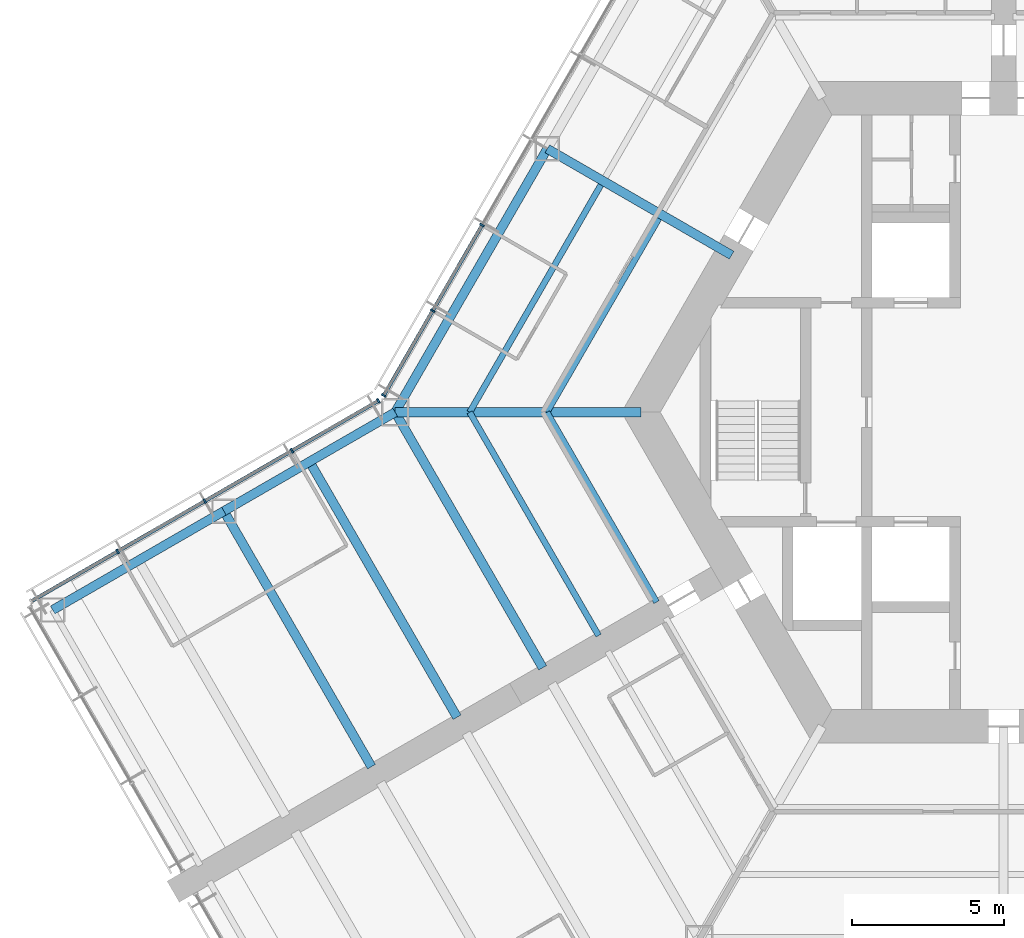
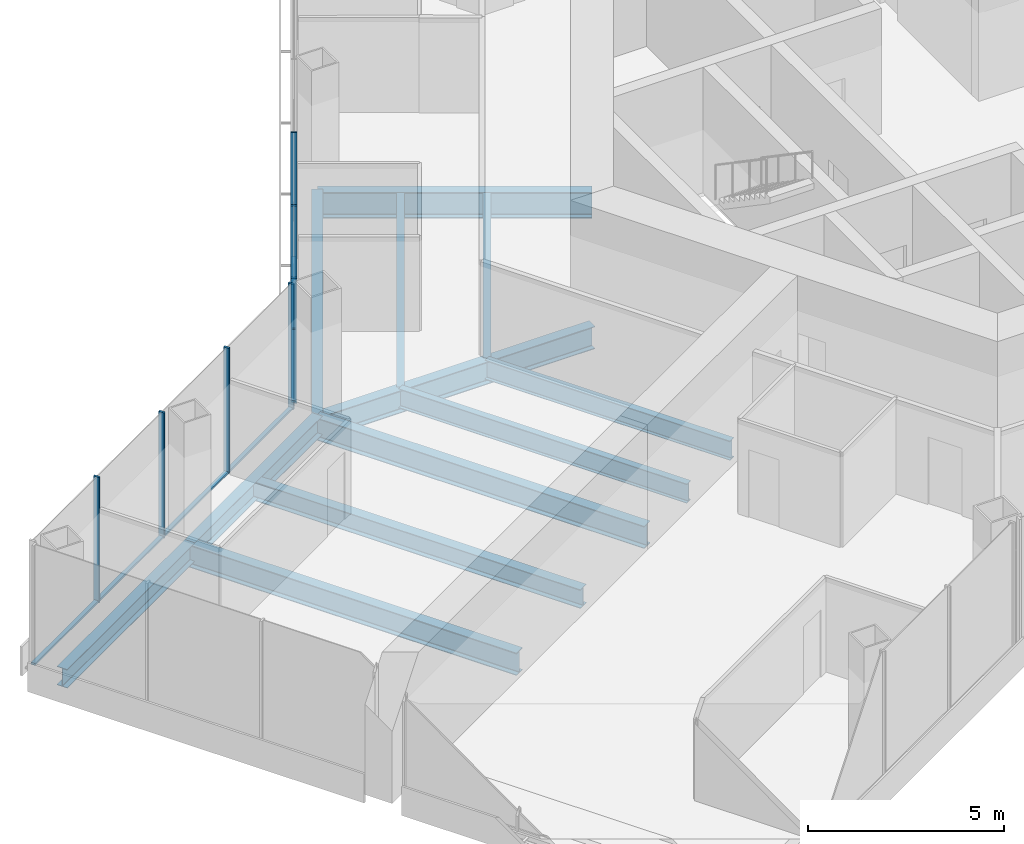
# One storey, part 4 of 18: 13 members, 12 beams, 2 elements without a shape of their own.
"""IFC4 building model written with IfcOpenShell, lengths in metres."""

from ifc_helpers import new_model, si_unit, direction, frame, origin, origin_2d, place, context, subcontext, project, spatial, rectangle, i_section, extrude, material, material_profile, profile_set, type_object, element, aggregate, save


model = new_model("IFC4")

# Units and contexts
model_context = context("Model", 3, precision=1e-05, world=origin(), true_north=direction((0.0, 1.0)))
body_context = subcontext(model_context, "Body", "Model", "MODEL_VIEW")
ifc_project = project(units=[si_unit("LENGTHUNIT", "METRE"), si_unit("AREAUNIT", "SQUARE_METRE"), si_unit("VOLUMEUNIT", "CUBIC_METRE"), si_unit("PLANEANGLEUNIT", "RADIAN"), si_unit("MASSUNIT", "GRAM", prefix="KILO")], contexts=[model_context])

# Site, building, storey
site_placement = place(None, origin())
site = spatial("IfcSite", under=ifc_project, at=site_placement, CompositionType="ELEMENT")
building_placement = place(site_placement, origin())
building = spatial("IfcBuilding", under=site, at=building_placement, Name="Kasaneha Research Tower", CompositionType="ELEMENT")
storey_placement = place(building_placement, frame((0.0, 0.0, 61.199951171875)))
storey = spatial("IfcBuildingStorey", under=building, at=storey_placement, Name="L15", CompositionType="ELEMENT", Elevation=61.199951171875)

# Beams
ifc_material_1 = material(Name="Steel SN490B", Category="steel")
ifc_material_profile_1 = material_profile(ifc_material_1, i_section(OverallWidth=0.199951171875, OverallDepth=0.60009765625, WebThickness=0.010986328125, FlangeThickness=0.01708984375, FilletRadius=0.012939453125, at=origin_2d()), Name="H-600x200x11x17")
ifc_profile_set_1 = profile_set([ifc_material_profile_1], Name="Steel SN490B")
beam_type_1 = type_object("IfcBeamType", Name="B1-3 secondary beam H-600x200x11x17", PredefinedType="JOIST", material=ifc_profile_set_1)
beam_1_placement = place(storey_placement, frame((-15.010986328125, 0.0, -0.449951171875), z_axis=(0.499994443168, 0.866028611999, 0.0), x_axis=(-0.866028611999, 0.499994443168, 0.0)))
element("IfcBeam", 1, at=beam_1_placement, inside=storey, type_object=beam_type_1, Name="Secondary beam RS150R1 L15", PredefinedType="JOIST", context=body_context, shape_type="SweptSolid", body=[
    extrude(i_section(OverallWidth=0.199951171875, OverallDepth=0.60009765625, WebThickness=0.010986328125, FlangeThickness=0.01708984375, FilletRadius=0.012939453125, at=origin_2d()), origin(), (0.0, 0.0, 1.0), 7.35546875),
])
beam_2_placement = place(storey_placement, frame((-17.551513671875, 0.0, -0.449951171875), z_axis=(0.5000050195, 0.866022505755, 0.0), x_axis=(-0.866022505755, 0.5000050195, 0.0)))
element("IfcBeam", 2, at=beam_2_placement, inside=storey, type_object=beam_type_1, Name="Secondary beam RS150R2 L15", PredefinedType="JOIST", context=body_context, shape_type="SweptSolid", body=[
    extrude(i_section(OverallWidth=0.199951171875, OverallDepth=0.60009765625, WebThickness=0.010986328125, FlangeThickness=0.01708984375, FilletRadius=0.012939453125, at=origin_2d()), origin(), (0.0, 0.0, 1.0), 8.6259765625),
])
beam_3_placement = place(storey_placement, frame((-15.010986328125, 0.0, -0.449951171875), z_axis=(0.499972735707, -0.866041144259, 0.0), x_axis=(0.866041144259, 0.499972735707, 0.0)))
element("IfcBeam", 3, at=beam_3_placement, inside=storey, type_object=beam_type_1, Name="Secondary beam RS210L1 L15", PredefinedType="JOIST", context=body_context, shape_type="SweptSolid", body=[
    extrude(i_section(OverallWidth=0.199951171875, OverallDepth=0.60009765625, WebThickness=0.010986328125, FlangeThickness=0.01708984375, FilletRadius=0.012939453125, at=origin_2d()), origin(), (0.0, 0.0, 1.0), 7.20556640625),
])
beam_4_placement = place(storey_placement, frame((-17.551513671875, 0.0, -0.449951171875), z_axis=(0.500020829043, -0.866013377797, 0.0), x_axis=(0.866013377797, 0.500020829043, 0.0)))
element("IfcBeam", 4, at=beam_4_placement, inside=storey, type_object=beam_type_1, Name="Secondary beam RS210L2 L15", PredefinedType="JOIST", context=body_context, shape_type="SweptSolid", body=[
    extrude(i_section(OverallWidth=0.199951171875, OverallDepth=0.60009765625, WebThickness=0.010986328125, FlangeThickness=0.01708984375, FilletRadius=0.012939453125, at=origin_2d()), origin(), (0.0, 0.0, 1.0), 8.475830078125),
])
ifc_material_2 = material(Name="Steel SN490B", Category="steel")
ifc_material_profile_2 = material_profile(ifc_material_2, i_section(OverallWidth=0.300048828125, OverallDepth=0.58203125, WebThickness=0.011962890625, FlangeThickness=0.01708984375, FilletRadius=0.012939453125, at=origin_2d()), Name="H-582x300x12x17")
ifc_profile_set_2 = profile_set([ifc_material_profile_2], Name="Steel SN490B")
beam_type_2 = type_object("IfcBeamType", Name="B2-3 secondary beam H-582x300x12x17", PredefinedType="JOIST", material=ifc_profile_set_2)
beam_5_placement = place(storey_placement, frame((-22.814697265625, -1.625, -0.44091796875), z_axis=(0.500010041276, -0.866019606374, 0.0), x_axis=(0.866019606374, 0.500010041276, 0.0)))
element("IfcBeam", 5, at=beam_5_placement, inside=storey, type_object=beam_type_2, Name="Secondary beam WBBP1 L15", PredefinedType="JOIST", context=body_context, shape_type="SweptSolid", body=[
    extrude(i_section(OverallWidth=0.300048828125, OverallDepth=0.58203125, WebThickness=0.011962890625, FlangeThickness=0.01708984375, FilletRadius=0.012939453125, at=origin_2d()), origin(), (0.0, 0.0, 1.0), 9.699951171875),
])

# Curtain wall, members
ifc_material_3 = material(Name="Glass and aluminium", Category="aluminium")
curtain_wall_type = type_object("IfcCurtainWallType", Name="Low-rise office curtain wall", PredefinedType="USERDEFINED", material=ifc_material_3)
curtain_wall_1_placement = place(storey_placement, origin())
curtain_wall_1 = element("IfcCurtainWall", 6, at=curtain_wall_1_placement, inside=storey, type_object=curtain_wall_type, Name="CW-O1 L15 run 12a", ObjectType="UNITISED CURTAIN WALL", PredefinedType="USERDEFINED")
ifc_material_4 = material(Name="Aluminium 6063-T6", Category="aluminium")
ifc_material_profile_3 = material_profile(ifc_material_4, rectangle(XDim=0.06005859375, YDim=0.159912109375, at=origin_2d()), Name="CW-O1 mullion 60x160")
ifc_profile_set_3 = profile_set([ifc_material_profile_3], Name="Aluminium 6063-T6")
member_type_1 = type_object("IfcMemberType", Name="CW-O1 mullion", PredefinedType="MULLION", material=ifc_profile_set_3)
member_1_placement = place(storey_placement, frame((-17.142822265625, 6.148681640625, 0.0), z_axis=(0.0, 0.0, 1.0), x_axis=(-0.49999996188, -0.866025425793, 0.0)))
member_1 = element("IfcMember", 7, at=member_1_placement, type_object=member_type_1, Name="CW-O1 mullion 5", PredefinedType="MULLION", context=body_context, shape_type="SweptSolid", body=[
    extrude(rectangle(XDim=0.06005859375, YDim=0.159912109375, at=origin_2d()), origin(), (0.0, 0.0, 1.0), 3.900146484375),
])
member_2_placement = place(storey_placement, frame((-18.76611328125, 3.33740234375, 0.0), z_axis=(0.0, 0.0, 1.0), x_axis=(-0.49999996188, -0.866025425793, 0.0)))
member_2 = element("IfcMember", 8, at=member_2_placement, type_object=member_type_1, Name="CW-O1 mullion 6", PredefinedType="MULLION", context=body_context, shape_type="SweptSolid", body=[
    extrude(rectangle(XDim=0.06005859375, YDim=0.159912109375, at=origin_2d()), origin(), (0.0, 0.0, 1.0), 3.900146484375),
])
member_3_placement = place(storey_placement, frame((-20.374267578125, 0.5517578125, 0.0), z_axis=(0.0, 0.0, 1.0), x_axis=(-0.49999996188, -0.866025425793, 0.0)))
member_3 = element("IfcMember", 9, at=member_3_placement, type_object=member_type_1, Name="CW-O1 mullion 7", PredefinedType="MULLION", context=body_context, shape_type="SweptSolid", body=[
    extrude(rectangle(XDim=0.06005859375, YDim=0.159912109375, at=origin_2d()), origin(), (0.0, 0.0, 1.0), 3.900146484375),
])

curtain_wall_2_placement = place(storey_placement, origin())
curtain_wall_2 = element("IfcCurtainWall", 10, at=curtain_wall_2_placement, inside=storey, type_object=curtain_wall_type, Name="CW-O1 L15 run 13a", ObjectType="UNITISED CURTAIN WALL", PredefinedType="USERDEFINED")
member_4_placement = place(storey_placement, frame((-20.5517578125, 0.374267578125, 0.0), z_axis=(0.0, 0.0, 1.0), x_axis=(-0.866025411464, -0.499999986699, 0.0)))
member_4 = element("IfcMember", 11, at=member_4_placement, type_object=member_type_1, Name="CW-O1 mullion 1", PredefinedType="MULLION", context=body_context, shape_type="SweptSolid", body=[
    extrude(rectangle(XDim=0.06005859375, YDim=0.159912109375, at=origin_2d()), origin(), (0.0, 0.0, 1.0), 3.900146484375),
])
member_5_placement = place(storey_placement, frame((-23.39208984375, -1.265625, 0.0), z_axis=(0.0, 0.0, 1.0), x_axis=(-0.866025411464, -0.499999986699, 0.0)))
member_5 = element("IfcMember", 12, at=member_5_placement, type_object=member_type_1, Name="CW-O1 mullion 2", PredefinedType="MULLION", context=body_context, shape_type="SweptSolid", body=[
    extrude(rectangle(XDim=0.06005859375, YDim=0.159912109375, at=origin_2d()), origin(), (0.0, 0.0, 1.0), 3.900146484375),
])
member_6_placement = place(storey_placement, frame((-26.258544921875, -2.920654296875, 0.0), z_axis=(0.0, 0.0, 1.0), x_axis=(-0.866025411464, -0.499999986699, 0.0)))
member_6 = element("IfcMember", 13, at=member_6_placement, type_object=member_type_1, Name="CW-O1 mullion 3", PredefinedType="MULLION", context=body_context, shape_type="SweptSolid", body=[
    extrude(rectangle(XDim=0.06005859375, YDim=0.159912109375, at=origin_2d()), origin(), (0.0, 0.0, 1.0), 3.900146484375),
])
member_7_placement = place(storey_placement, frame((-29.125, -4.575439453125, 0.0), z_axis=(0.0, 0.0, 1.0), x_axis=(-0.866025411464, -0.499999986699, 0.0)))
member_7 = element("IfcMember", 14, at=member_7_placement, type_object=member_type_1, Name="CW-O1 mullion 4", PredefinedType="MULLION", context=body_context, shape_type="SweptSolid", body=[
    extrude(rectangle(XDim=0.06005859375, YDim=0.159912109375, at=origin_2d()), origin(), (0.0, 0.0, 1.0), 3.900146484375),
])

# Member
ifc_material_5 = material(Name="Aluminium 6063-T6", Category="aluminium")
ifc_material_profile_4 = material_profile(ifc_material_5, rectangle(XDim=0.1201171875, YDim=0.06005859375, at=origin_2d()), Name="CW-O1 transom 120x60")
ifc_profile_set_4 = profile_set([ifc_material_profile_4], Name="Aluminium 6063-T6")
member_type_2 = type_object("IfcMemberType", Name="CW-O1 transom", PredefinedType="USERDEFINED", material=ifc_profile_set_4)
member_8_placement = place(storey_placement, frame((-17.15771484375, 6.122802734375, 0.030029296875), z_axis=(-0.500012062035, -0.866018439653, 0.0), x_axis=(0.866018439653, -0.500012062035, 0.0)))
member_8 = element("IfcMember", 15, at=member_8_placement, type_object=member_type_2, Name="CW-O1 transom 5", ObjectType="TRANSOM", PredefinedType="USERDEFINED", context=body_context, shape_type="SweptSolid", body=[
    extrude(rectangle(XDim=0.1201171875, YDim=0.06005859375, at=origin_2d()), origin(), (0.0, 0.0, 1.0), 3.1865234375),
])

member_9_placement = place(storey_placement, frame((-18.781005859375, 3.311279296875, 0.030029296875), z_axis=(-0.499999210213, -0.866025859768, 0.0), x_axis=(0.866025859768, -0.499999210213, 0.0)))
member_9 = element("IfcMember", 16, at=member_9_placement, type_object=member_type_2, Name="CW-O1 transom 6", ObjectType="TRANSOM", PredefinedType="USERDEFINED", context=body_context, shape_type="SweptSolid", body=[
    extrude(rectangle(XDim=0.1201171875, YDim=0.06005859375, at=origin_2d()), origin(), (0.0, 0.0, 1.0), 3.15625),
])

aggregate(curtain_wall_1, [member_1, member_2, member_3, member_8, member_9])

member_10_placement = place(storey_placement, frame((-20.577880859375, 0.359130859375, 0.030029296875), z_axis=(-0.866022692473, -0.500004696101, 0.0), x_axis=(0.500004696101, -0.866022692473, 0.0)))
member_10 = element("IfcMember", 17, at=member_10_placement, type_object=member_type_2, Name="CW-O1 transom 1", ObjectType="TRANSOM", PredefinedType="USERDEFINED", context=body_context, shape_type="SweptSolid", body=[
    extrude(rectangle(XDim=0.1201171875, YDim=0.06005859375, at=origin_2d()), origin(), (0.0, 0.0, 1.0), 3.2197265625),
])

member_11_placement = place(storey_placement, frame((-23.418212890625, -1.28076171875, 0.030029296875), z_axis=(-0.86604797581, -0.499960902066, 0.0), x_axis=(0.499960902066, -0.86604797581, 0.0)))
member_11 = element("IfcMember", 18, at=member_11_placement, type_object=member_type_2, Name="CW-O1 transom 2", ObjectType="TRANSOM", PredefinedType="USERDEFINED", context=body_context, shape_type="SweptSolid", body=[
    extrude(rectangle(XDim=0.1201171875, YDim=0.06005859375, at=origin_2d()), origin(), (0.0, 0.0, 1.0), 3.249755859375),
])

member_12_placement = place(storey_placement, frame((-26.28466796875, -2.935546875, 0.030029296875), z_axis=(-0.86599666273, -0.500049777664, 0.0), x_axis=(0.500049777664, -0.86599666273, 0.0)))
member_12 = element("IfcMember", 19, at=member_12_placement, type_object=member_type_2, Name="CW-O1 transom 3", ObjectType="TRANSOM", PredefinedType="USERDEFINED", context=body_context, shape_type="SweptSolid", body=[
    extrude(rectangle(XDim=0.1201171875, YDim=0.06005859375, at=origin_2d()), origin(), (0.0, 0.0, 1.0), 3.249755859375),
])

member_13_placement = place(storey_placement, frame((-29.15087890625, -4.590576171875, 0.030029296875), z_axis=(-0.866041647767, -0.499971863542, 0.0), x_axis=(0.499971863542, -0.866041647767, 0.0)))
member_13 = element("IfcMember", 20, at=member_13_placement, type_object=member_type_2, Name="CW-O1 transom 4", ObjectType="TRANSOM", PredefinedType="USERDEFINED", context=body_context, shape_type="SweptSolid", body=[
    extrude(rectangle(XDim=0.1201171875, YDim=0.06005859375, at=origin_2d()), origin(), (0.0, 0.0, 1.0), 3.219970703125),
])

aggregate(curtain_wall_2, [member_4, member_5, member_6, member_7, member_10, member_11, member_12, member_13])

# Beams
ifc_material_6 = material(Name="Steel SN490B", Category="steel")
ifc_material_profile_5 = material_profile(ifc_material_6, i_section(OverallWidth=0.300048828125, OverallDepth=0.699951171875, WebThickness=0.012939453125, FlangeThickness=0.02392578125, FilletRadius=0.01806640625, at=origin_2d()), Name="H-700x300x13x24")
ifc_profile_set_5 = profile_set([ifc_material_profile_5], Name="Steel SN490B")
beam_type_3 = type_object("IfcBeamType", Name="G1-3 radial girder H-700x300x13x24", PredefinedType="BEAM", material=ifc_profile_set_5)
beam_6_placement = place(storey_placement, frame((-11.92236328125, 0.0, -0.5), z_axis=(-1.0, 0.0, 0.0), x_axis=(0.0, -1.0, 0.0)))
element("IfcBeam", 21, at=beam_6_placement, inside=storey, type_object=beam_type_3, Name="Radial girder RV180 L15", PredefinedType="BEAM", context=body_context, shape_type="SweptSolid", body=[
    extrude(i_section(OverallWidth=0.300048828125, OverallDepth=0.699951171875, WebThickness=0.012939453125, FlangeThickness=0.02392578125, FilletRadius=0.01806640625, at=origin_2d()), origin(), (0.0, 0.0, 1.0), 8.07763671875),
])
ifc_material_7 = material(Name="Steel SN490B", Category="steel")
ifc_material_profile_6 = material_profile(ifc_material_7, i_section(OverallWidth=0.300048828125, OverallDepth=0.800048828125, WebThickness=0.013916015625, FlangeThickness=0.02587890625, FilletRadius=0.01806640625, at=origin_2d()), Name="H-800x300x14x26")
ifc_profile_set_6 = profile_set([ifc_material_profile_6], Name="Steel SN490B")
beam_type_4 = type_object("IfcBeamType", Name="G2-3 radial girder H-800x300x14x26", PredefinedType="BEAM", material=ifc_profile_set_6)
beam_7_placement = place(storey_placement, frame((-8.941650390625, 5.16259765625, -0.550048828125), z_axis=(-0.866039713508, 0.499975214012, 0.0), x_axis=(-0.499975214012, -0.866039713508, 0.0)))
element("IfcBeam", 22, at=beam_7_placement, inside=storey, type_object=beam_type_4, Name="Radial girder RM150 L15", PredefinedType="BEAM", context=body_context, shape_type="SweptSolid", body=[
    extrude(i_section(OverallWidth=0.300048828125, OverallDepth=0.800048828125, WebThickness=0.013916015625, FlangeThickness=0.02587890625, FilletRadius=0.01806640625, at=origin_2d()), origin(), (0.0, 0.0, 1.0), 6.995361328125),
])
ifc_material_8 = material(Name="Steel SN490B", Category="steel")
ifc_material_profile_7 = material_profile(ifc_material_8, i_section(OverallWidth=0.300048828125, OverallDepth=0.69189453125, WebThickness=0.012939453125, FlangeThickness=0.02001953125, FilletRadius=0.01806640625, at=origin_2d()), Name="H-692x300x13x20")
ifc_profile_set_7 = profile_set([ifc_material_profile_7], Name="Steel SN490B")
beam_type_5 = type_object("IfcBeamType", Name="G3-3 plate edge girder H-692x300x13x20", PredefinedType="BEAM", material=ifc_profile_set_7)
beam_8_placement = place(storey_placement, frame((-20.0, 0.0, -0.495849609375), z_axis=(0.500010041276, -0.866019606374, 0.0), x_axis=(0.866019606374, 0.500010041276, 0.0)))
element("IfcBeam", 23, at=beam_8_placement, inside=storey, type_object=beam_type_5, Name="Plate edge girder PEBP L15", PredefinedType="BEAM", context=body_context, shape_type="SweptSolid", body=[
    extrude(i_section(OverallWidth=0.300048828125, OverallDepth=0.69189453125, WebThickness=0.012939453125, FlangeThickness=0.02001953125, FilletRadius=0.01806640625, at=origin_2d()), origin(), (0.0, 0.0, 1.0), 9.699951171875),
])
ifc_material_9 = material(Name="Steel SN490B", Category="steel")
ifc_material_profile_8 = material_profile(ifc_material_9, i_section(OverallWidth=0.300048828125, OverallDepth=0.699951171875, WebThickness=0.012939453125, FlangeThickness=0.02392578125, FilletRadius=0.01806640625, at=origin_2d()), Name="H-700x300x13x24")
ifc_profile_set_8 = profile_set([ifc_material_profile_8], Name="Steel SN490B")
beam_type_6 = type_object("IfcBeamType", Name="G4-3 wing girder H-700x300x13x24", PredefinedType="BEAM", material=ifc_profile_set_8)
beam_9_placement = place(storey_placement, frame((-25.629150390625, -3.25, -0.5), z_axis=(0.500010041276, -0.866019606374, 0.0), x_axis=(0.866019606374, 0.500010041276, 0.0)))
element("IfcBeam", 24, at=beam_9_placement, inside=storey, type_object=beam_type_6, Name="Wing girder WGBP L15", PredefinedType="BEAM", context=body_context, shape_type="SweptSolid", body=[
    extrude(i_section(OverallWidth=0.300048828125, OverallDepth=0.699951171875, WebThickness=0.012939453125, FlangeThickness=0.02392578125, FilletRadius=0.01806640625, at=origin_2d()), origin(), (0.0, 0.0, 1.0), 9.699951171875),
])
ifc_material_10 = material(Name="Steel SN490B", Category="steel")
ifc_material_profile_9 = material_profile(ifc_material_10, i_section(OverallWidth=0.300048828125, OverallDepth=0.69189453125, WebThickness=0.012939453125, FlangeThickness=0.02001953125, FilletRadius=0.01806640625, at=origin_2d()), Name="H-692x300x13x20")
ifc_profile_set_9 = profile_set([ifc_material_profile_9], Name="Steel SN490B")
beam_type_7 = type_object("IfcBeamType", Name="SB1-3 spandrel beam H-692x300x13x20", PredefinedType="SPANDREL", material=ifc_profile_set_9)
beam_10_placement = place(storey_placement, frame((-20.0, 0.0, -0.495849609375), z_axis=(0.500004234368, 0.866022959057, 0.0), x_axis=(-0.866022959057, 0.500004234368, 0.0)))
element("IfcBeam", 25, at=beam_10_placement, inside=storey, type_object=beam_type_7, Name="Spandrel beam SR150R L15", PredefinedType="SPANDREL", context=body_context, shape_type="SweptSolid", body=[
    extrude(i_section(OverallWidth=0.300048828125, OverallDepth=0.69189453125, WebThickness=0.012939453125, FlangeThickness=0.02001953125, FilletRadius=0.01806640625, at=origin_2d()), origin(), (0.0, 0.0, 1.0), 10.0),
])
ifc_material_11 = material(Name="Steel SN490B", Category="steel")
ifc_material_profile_10 = material_profile(ifc_material_11, i_section(OverallWidth=0.300048828125, OverallDepth=0.58203125, WebThickness=0.011962890625, FlangeThickness=0.01708984375, FilletRadius=0.012939453125, at=origin_2d()), Name="H-582x300x12x17")
ifc_profile_set_10 = profile_set([ifc_material_profile_10], Name="Steel SN490B")
beam_type_8 = type_object("IfcBeamType", Name="SB2-3 spandrel beam H-582x300x12x17", PredefinedType="SPANDREL", material=ifc_profile_set_10)
for number, where, z_axis, x_axis, name in (
    (26, (-20.0, 0.0, -0.44091796875), (-0.866024837091, -0.50000098154, 0.0), (0.50000098154, -0.866024837091, 0.0), "Spandrel beam WSBP1 L15"),
    (27, (-25.629150390625, -3.25, -0.44091796875), (-0.866024837091, -0.50000098154, 0.0), (0.50000098154, -0.866024837091, 0.0), "Spandrel beam WSBP2 L15"),
):
    element("IfcBeam", number, at=place(storey_placement, frame(where, z_axis=z_axis, x_axis=x_axis)), inside=storey, type_object=beam_type_8, Name=name, PredefinedType="SPANDREL", context=body_context, shape_type="SweptSolid", body=[
        extrude(i_section(OverallWidth=0.300048828125, OverallDepth=0.58203125, WebThickness=0.011962890625, FlangeThickness=0.01708984375, FilletRadius=0.012939453125, at=origin_2d()), origin(), (0.0, 0.0, 1.0), 6.5),
    ])

save(model, "model.ifc")
